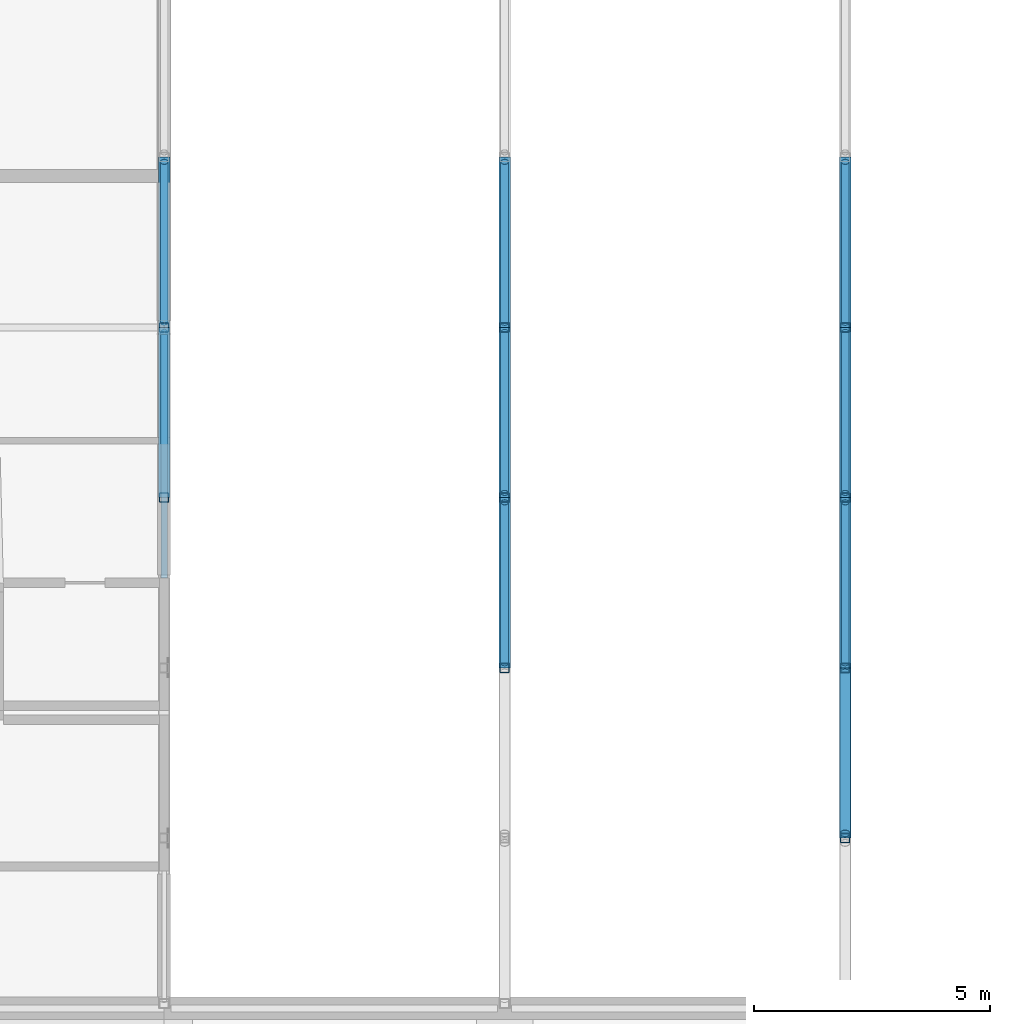
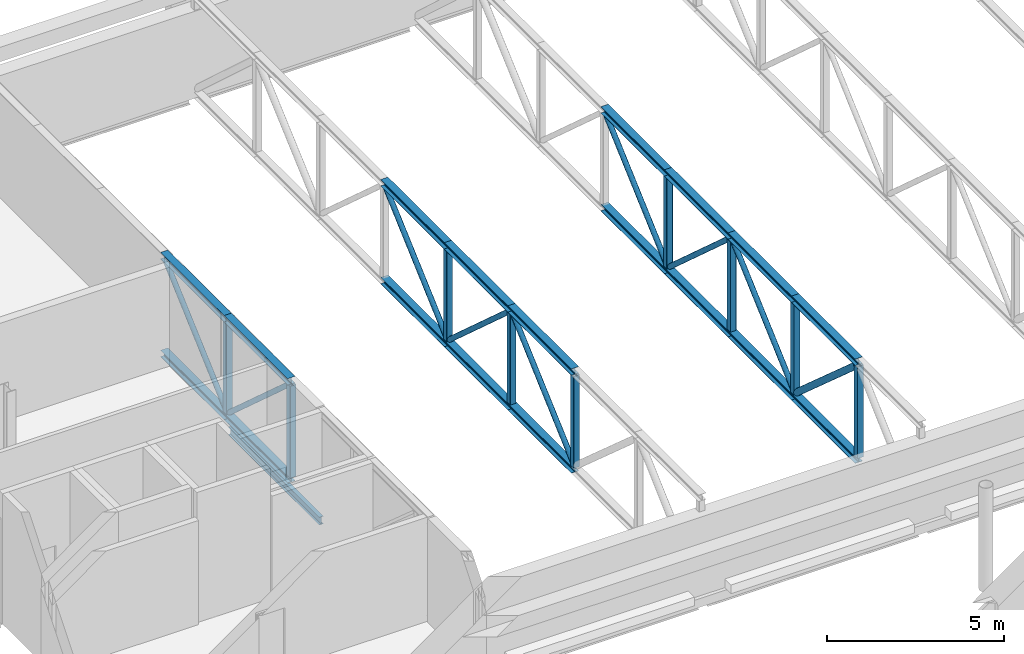
# One storey, part 74 of 142: 36 members, 1 beam.
"""IFC4 building model written with IfcOpenShell, lengths in metres."""

from ifc_helpers import new_model, si_unit, direction, frame, origin, origin_2d, place, context, subcontext, project, spatial, hollow_rectangle, hollow_circle, i_section, extrude, material, material_profile, profile_set, type_object, element, save


model = new_model("IFC4")

# Units and contexts
model_context = context("Model", 3, precision=1e-05, world=origin(), true_north=direction((0.0, 1.0)))
body_context = subcontext(model_context, "Body", "Model", "MODEL_VIEW")
ifc_project = project(units=[si_unit("LENGTHUNIT", "METRE"), si_unit("AREAUNIT", "SQUARE_METRE"), si_unit("VOLUMEUNIT", "CUBIC_METRE"), si_unit("PLANEANGLEUNIT", "RADIAN"), si_unit("MASSUNIT", "GRAM", prefix="KILO")], contexts=[model_context])

# Site, building, storey
site_placement = place(None, origin())
site = spatial("IfcSite", under=ifc_project, at=site_placement, CompositionType="ELEMENT")
building_placement = place(site_placement, origin())
building = spatial("IfcBuilding", under=site, at=building_placement, Name="Kupolbacken Congress Centre", CompositionType="ELEMENT")
storey_placement = place(building_placement, frame((0.0, 0.0, 14.39990234375)))
storey = spatial("IfcBuildingStorey", under=building, at=storey_placement, Name="L04", CompositionType="ELEMENT", Elevation=14.39990234375)

# Beam
ifc_material_1 = material(Name="Steel S355", Category="steel")
ifc_material_profile_1 = material_profile(ifc_material_1, i_section(OverallWidth=0.135009765625, OverallDepth=0.27001953125, WebThickness=0.006591796875, FlangeThickness=0.01025390625, FilletRadius=0.014892578125, at=origin_2d()), Name="IPE 270")
ifc_profile_set_1 = profile_set([ifc_material_profile_1], Name="Steel S355")
beam_type = type_object("IfcBeamType", Name="B03 beam IPE 270", PredefinedType="BEAM", material=ifc_profile_set_1)
beam_placement = place(storey_placement, frame((151.199951171875, 131.5, -0.31494140625), z_axis=(0.0, 1.0, 0.0), x_axis=(-1.0, 0.0, 0.0)))
element("IfcBeam", 1, at=beam_placement, inside=storey, type_object=beam_type, Name="S/floor/BF/L04/G006", PredefinedType="BEAM", context=body_context, shape_type="SweptSolid", body=[
    extrude(i_section(OverallWidth=0.135009765625, OverallDepth=0.27001953125, WebThickness=0.006591796875, FlangeThickness=0.01025390625, FilletRadius=0.014892578125, at=origin_2d()), origin(), (0.0, 0.0, 1.0), 5.14990234375),
])

# Members
ifc_material_2 = material(Name="Steel S355", Category="steel")
ifc_material_profile_2 = material_profile(ifc_material_2, hollow_circle(Radius=0.109619140625, WallThickness=0.010009765625, at=origin_2d()), Name="CHS 219.1 x 10")
ifc_profile_set_2 = profile_set([ifc_material_profile_2], Name="Steel S355")
member_type_1 = type_object("IfcMemberType", Name="M05 transfer truss web CHS 219.1 x 10", PredefinedType="BRACE", material=ifc_profile_set_2)
member_1_placement = place(storey_placement, frame((165.60009765625, 126.10009765625, 3.2998046875), z_axis=(0.0, 0.748813846758, -0.662780373053), x_axis=(-1.0, 0.0, 0.0)))
element("IfcMember", 2, at=member_1_placement, inside=storey, type_object=member_type_1, Name="BT/B3/D02", PredefinedType="BRACE", context=body_context, shape_type="SweptSolid", body=[
    extrude(hollow_circle(Radius=0.109619140625, WallThickness=0.010009765625, at=origin_2d()), origin(), (0.0, 0.0, 1.0), 4.540283203125),
])
ifc_material_3 = material(Name="Steel S355", Category="steel")
ifc_material_profile_3 = material_profile(ifc_material_3, hollow_circle(Radius=0.084228515625, WallThickness=0.008056640625, at=origin_2d()), Name="CHS 168.3 x 8")
ifc_profile_set_3 = profile_set([ifc_material_profile_3], Name="Steel S355")
member_type_2 = type_object("IfcMemberType", Name="M06 transfer truss web CHS 168.3 x 8", PredefinedType="BRACE", material=ifc_profile_set_3)
member_2_placement = place(storey_placement, frame((151.199951171875, 133.300048828125, 3.318359375), z_axis=(0.0, 0.744738982007, -0.667355863598), x_axis=(-1.0, 0.0, 0.0)))
element("IfcMember", 3, at=member_2_placement, inside=storey, type_object=member_type_2, Name="BT/B1/D04", PredefinedType="BRACE", context=body_context, shape_type="SweptSolid", body=[
    extrude(hollow_circle(Radius=0.084228515625, WallThickness=0.008056640625, at=origin_2d()), origin(), (0.0, 0.0, 1.0), 4.565185546875),
])
for number, where, z_axis, x_axis, name in (
    (4, (151.199951171875, 136.89990234375, 0.271728515625), (0.0, 0.744762797892, 0.667329285193), (-1.0, 0.0, 0.0), "BT/B1/D05"),
    (5, (158.39990234375, 129.699951171875, 0.271728515625), (0.0, 0.744762797892, 0.667329285193), (-1.0, 0.0, 0.0), "BT/B2/D03"),
):
    element("IfcMember", number, at=place(storey_placement, frame(where, z_axis=z_axis, x_axis=x_axis)), inside=storey, type_object=member_type_2, Name=name, PredefinedType="BRACE", context=body_context, shape_type="SweptSolid", body=[
        extrude(hollow_circle(Radius=0.084228515625, WallThickness=0.008056640625, at=origin_2d()), origin(), (0.0, 0.0, 1.0), 4.5654296875),
    ])
member_3_placement = place(storey_placement, frame((158.39990234375, 133.300048828125, 3.318359375), z_axis=(0.0, 0.744738982007, -0.667355863598), x_axis=(-1.0, 0.0, 0.0)))
element("IfcMember", 6, at=member_3_placement, inside=storey, type_object=member_type_2, Name="BT/B2/D04", PredefinedType="BRACE", context=body_context, shape_type="SweptSolid", body=[
    extrude(hollow_circle(Radius=0.084228515625, WallThickness=0.008056640625, at=origin_2d()), origin(), (0.0, 0.0, 1.0), 4.565185546875),
])
for number, where, z_axis, x_axis, name in (
    (7, (158.39990234375, 136.89990234375, 0.271728515625), (0.0, 0.744762797892, 0.667329285193), (-1.0, 0.0, 0.0), "BT/B2/D05"),
    (8, (165.60009765625, 129.699951171875, 0.271728515625), (0.0, 0.744762797892, 0.667329285193), (-1.0, 0.0, 0.0), "BT/B3/D03"),
):
    element("IfcMember", number, at=place(storey_placement, frame(where, z_axis=z_axis, x_axis=x_axis)), inside=storey, type_object=member_type_2, Name=name, PredefinedType="BRACE", context=body_context, shape_type="SweptSolid", body=[
        extrude(hollow_circle(Radius=0.084228515625, WallThickness=0.008056640625, at=origin_2d()), origin(), (0.0, 0.0, 1.0), 4.5654296875),
    ])
member_4_placement = place(storey_placement, frame((165.60009765625, 133.300048828125, 3.318359375), z_axis=(0.0, 0.744738982007, -0.667355863598), x_axis=(-1.0, 0.0, 0.0)))
element("IfcMember", 9, at=member_4_placement, inside=storey, type_object=member_type_2, Name="BT/B3/D04", PredefinedType="BRACE", context=body_context, shape_type="SweptSolid", body=[
    extrude(hollow_circle(Radius=0.084228515625, WallThickness=0.008056640625, at=origin_2d()), origin(), (0.0, 0.0, 1.0), 4.565185546875),
])
member_5_placement = place(storey_placement, frame((165.60009765625, 136.89990234375, 0.271728515625), z_axis=(0.0, 0.744762797892, 0.667329285193), x_axis=(-1.0, 0.0, 0.0)))
element("IfcMember", 10, at=member_5_placement, inside=storey, type_object=member_type_2, Name="BT/B3/D05", PredefinedType="BRACE", context=body_context, shape_type="SweptSolid", body=[
    extrude(hollow_circle(Radius=0.084228515625, WallThickness=0.008056640625, at=origin_2d()), origin(), (0.0, 0.0, 1.0), 4.5654296875),
])
ifc_material_4 = material(Name="Steel S355", Category="steel")
ifc_material_profile_4 = material_profile(ifc_material_4, i_section(OverallWidth=0.239990234375, OverallDepth=0.22998046875, WebThickness=0.007568359375, FlangeThickness=0.011962890625, FilletRadius=0.02099609375, at=origin_2d()), Name="HEA 240")
ifc_profile_set_4 = profile_set([ifc_material_profile_4], Name="Steel S355")
member_type_3 = type_object("IfcMemberType", Name="M07 transfer truss chord HEA 240", PredefinedType="CHORD", material=ifc_profile_set_4)
for number, where, z_axis, x_axis, name in (
    (11, (151.199951171875, 133.199951171875, 0.10498046875), (0.0, 1.0, 0.0), (-1.0, 0.0, 0.0), "BT/B1/BC04"),
    (12, (151.199951171875, 133.199951171875, 3.485107421875), (0.0, 1.0, 0.0), (-1.0, 0.0, 0.0), "BT/B1/TC04"),
):
    element("IfcMember", number, at=place(storey_placement, frame(where, z_axis=z_axis, x_axis=x_axis)), inside=storey, type_object=member_type_3, Name=name, PredefinedType="CHORD", context=body_context, shape_type="SweptSolid", body=[
        extrude(i_section(OverallWidth=0.239990234375, OverallDepth=0.22998046875, WebThickness=0.007568359375, FlangeThickness=0.011962890625, FilletRadius=0.02099609375, at=origin_2d()), origin(), (0.0, 0.0, 1.0), 3.60009765625),
    ])
for number, where, z_axis, x_axis, name in (
    (13, (151.199951171875, 136.800048828125, 0.10498046875), (0.0, 1.0, 0.0), (-1.0, 0.0, 0.0), "BT/B1/BC05"),
    (14, (151.199951171875, 136.800048828125, 3.485107421875), (0.0, 1.0, 0.0), (-1.0, 0.0, 0.0), "BT/B1/TC05"),
    (15, (158.39990234375, 129.60009765625, 0.10498046875), (0.0, 1.0, 0.0), (-1.0, 0.0, 0.0), "BT/B2/BC03"),
    (16, (158.39990234375, 129.60009765625, 3.485107421875), (0.0, 1.0, 0.0), (-1.0, 0.0, 0.0), "BT/B2/TC03"),
):
    element("IfcMember", number, at=place(storey_placement, frame(where, z_axis=z_axis, x_axis=x_axis)), inside=storey, type_object=member_type_3, Name=name, PredefinedType="CHORD", context=body_context, shape_type="SweptSolid", body=[
        extrude(i_section(OverallWidth=0.239990234375, OverallDepth=0.22998046875, WebThickness=0.007568359375, FlangeThickness=0.011962890625, FilletRadius=0.02099609375, at=origin_2d()), origin(), (0.0, 0.0, 1.0), 3.599853515625),
    ])
for number, where, z_axis, x_axis, name in (
    (17, (158.39990234375, 133.199951171875, 0.10498046875), (0.0, 1.0, 0.0), (-1.0, 0.0, 0.0), "BT/B2/BC04"),
    (18, (158.39990234375, 133.199951171875, 3.485107421875), (0.0, 1.0, 0.0), (-1.0, 0.0, 0.0), "BT/B2/TC04"),
):
    element("IfcMember", number, at=place(storey_placement, frame(where, z_axis=z_axis, x_axis=x_axis)), inside=storey, type_object=member_type_3, Name=name, PredefinedType="CHORD", context=body_context, shape_type="SweptSolid", body=[
        extrude(i_section(OverallWidth=0.239990234375, OverallDepth=0.22998046875, WebThickness=0.007568359375, FlangeThickness=0.011962890625, FilletRadius=0.02099609375, at=origin_2d()), origin(), (0.0, 0.0, 1.0), 3.60009765625),
    ])
for number, where, z_axis, x_axis, name in (
    (19, (158.39990234375, 136.800048828125, 0.10498046875), (0.0, 1.0, 0.0), (-1.0, 0.0, 0.0), "BT/B2/BC05"),
    (20, (158.39990234375, 136.800048828125, 3.485107421875), (0.0, 1.0, 0.0), (-1.0, 0.0, 0.0), "BT/B2/TC05"),
):
    element("IfcMember", number, at=place(storey_placement, frame(where, z_axis=z_axis, x_axis=x_axis)), inside=storey, type_object=member_type_3, Name=name, PredefinedType="CHORD", context=body_context, shape_type="SweptSolid", body=[
        extrude(i_section(OverallWidth=0.239990234375, OverallDepth=0.22998046875, WebThickness=0.007568359375, FlangeThickness=0.011962890625, FilletRadius=0.02099609375, at=origin_2d()), origin(), (0.0, 0.0, 1.0), 3.599853515625),
    ])
for number, where, z_axis, x_axis, name in (
    (21, (165.60009765625, 126.0, 0.10498046875), (0.0, 1.0, 0.0), (-1.0, 0.0, 0.0), "BT/B3/BC02"),
    (22, (165.60009765625, 126.0, 3.485107421875), (0.0, 1.0, 0.0), (-1.0, 0.0, 0.0), "BT/B3/TC02"),
):
    element("IfcMember", number, at=place(storey_placement, frame(where, z_axis=z_axis, x_axis=x_axis)), inside=storey, type_object=member_type_3, Name=name, PredefinedType="CHORD", context=body_context, shape_type="SweptSolid", body=[
        extrude(i_section(OverallWidth=0.239990234375, OverallDepth=0.22998046875, WebThickness=0.007568359375, FlangeThickness=0.011962890625, FilletRadius=0.02099609375, at=origin_2d()), origin(), (0.0, 0.0, 1.0), 3.60009765625),
    ])
for number, where, z_axis, x_axis, name in (
    (23, (165.60009765625, 129.60009765625, 0.10498046875), (0.0, 1.0, 0.0), (-1.0, 0.0, 0.0), "BT/B3/BC03"),
    (24, (165.60009765625, 129.60009765625, 3.485107421875), (0.0, 1.0, 0.0), (-1.0, 0.0, 0.0), "BT/B3/TC03"),
):
    element("IfcMember", number, at=place(storey_placement, frame(where, z_axis=z_axis, x_axis=x_axis)), inside=storey, type_object=member_type_3, Name=name, PredefinedType="CHORD", context=body_context, shape_type="SweptSolid", body=[
        extrude(i_section(OverallWidth=0.239990234375, OverallDepth=0.22998046875, WebThickness=0.007568359375, FlangeThickness=0.011962890625, FilletRadius=0.02099609375, at=origin_2d()), origin(), (0.0, 0.0, 1.0), 3.599853515625),
    ])
for number, where, z_axis, x_axis, name in (
    (25, (165.60009765625, 133.199951171875, 0.10498046875), (0.0, 1.0, 0.0), (-1.0, 0.0, 0.0), "BT/B3/BC04"),
    (26, (165.60009765625, 133.199951171875, 3.485107421875), (0.0, 1.0, 0.0), (-1.0, 0.0, 0.0), "BT/B3/TC04"),
):
    element("IfcMember", number, at=place(storey_placement, frame(where, z_axis=z_axis, x_axis=x_axis)), inside=storey, type_object=member_type_3, Name=name, PredefinedType="CHORD", context=body_context, shape_type="SweptSolid", body=[
        extrude(i_section(OverallWidth=0.239990234375, OverallDepth=0.22998046875, WebThickness=0.007568359375, FlangeThickness=0.011962890625, FilletRadius=0.02099609375, at=origin_2d()), origin(), (0.0, 0.0, 1.0), 3.60009765625),
    ])
for number, where, z_axis, x_axis, name in (
    (27, (165.60009765625, 136.800048828125, 0.10498046875), (0.0, 1.0, 0.0), (-1.0, 0.0, 0.0), "BT/B3/BC05"),
    (28, (165.60009765625, 136.800048828125, 3.485107421875), (0.0, 1.0, 0.0), (-1.0, 0.0, 0.0), "BT/B3/TC05"),
):
    element("IfcMember", number, at=place(storey_placement, frame(where, z_axis=z_axis, x_axis=x_axis)), inside=storey, type_object=member_type_3, Name=name, PredefinedType="CHORD", context=body_context, shape_type="SweptSolid", body=[
        extrude(i_section(OverallWidth=0.239990234375, OverallDepth=0.22998046875, WebThickness=0.007568359375, FlangeThickness=0.011962890625, FilletRadius=0.02099609375, at=origin_2d()), origin(), (0.0, 0.0, 1.0), 3.599853515625),
    ])
ifc_material_5 = material(Name="Steel S355", Category="steel")
ifc_material_profile_5 = material_profile(ifc_material_5, hollow_rectangle(XDim=0.199951171875, YDim=0.199951171875, WallThickness=0.010009765625, InnerFilletRadius=0.010009765625, OuterFilletRadius=0.014892578125, at=origin_2d()), Name="SHS 200 x 200 x 10")
ifc_profile_set_5 = profile_set([ifc_material_profile_5], Name="Steel S355")
member_type_4 = type_object("IfcMemberType", Name="M10 transfer truss post SHS 200 x 200 x 10", PredefinedType="STRUT", material=ifc_profile_set_5)
for number, where, z_axis, x_axis, name in (
    (29, (151.199951171875, 133.199951171875, 0.210205078125), (0.0, 0.0, 1.0), (0.0, 1.0, 0.0), "BT/B1/P03"),
    (30, (151.199951171875, 136.800048828125, 0.210205078125), (0.0, 0.0, 1.0), (0.0, 1.0, 0.0), "BT/B1/P04"),
    (31, (158.39990234375, 129.60009765625, 0.210205078125), (0.0, 0.0, 1.0), (0.0, 1.0, 0.0), "BT/B2/P02"),
    (32, (158.39990234375, 133.199951171875, 0.210205078125), (0.0, 0.0, 1.0), (0.0, 1.0, 0.0), "BT/B2/P03"),
    (33, (158.39990234375, 136.800048828125, 0.210205078125), (0.0, 0.0, 1.0), (0.0, 1.0, 0.0), "BT/B2/P04"),
    (34, (165.60009765625, 126.0, 0.210205078125), (0.0, 0.0, 1.0), (0.0, 1.0, 0.0), "BT/B3/P01"),
    (35, (165.60009765625, 129.60009765625, 0.210205078125), (0.0, 0.0, 1.0), (0.0, 1.0, 0.0), "BT/B3/P02"),
    (36, (165.60009765625, 133.199951171875, 0.210205078125), (0.0, 0.0, 1.0), (0.0, 1.0, 0.0), "BT/B3/P03"),
    (37, (165.60009765625, 136.800048828125, 0.210205078125), (0.0, 0.0, 1.0), (0.0, 1.0, 0.0), "BT/B3/P04"),
):
    element("IfcMember", number, at=place(storey_placement, frame(where, z_axis=z_axis, x_axis=x_axis)), inside=storey, type_object=member_type_4, Name=name, PredefinedType="STRUT", context=body_context, shape_type="SweptSolid", body=[
        extrude(hollow_rectangle(XDim=0.199951171875, YDim=0.199951171875, WallThickness=0.010009765625, InnerFilletRadius=0.010009765625, OuterFilletRadius=0.014892578125, at=origin_2d()), origin(), (0.0, 0.0, 1.0), 3.169921875),
    ])

save(model, "model.ifc")
